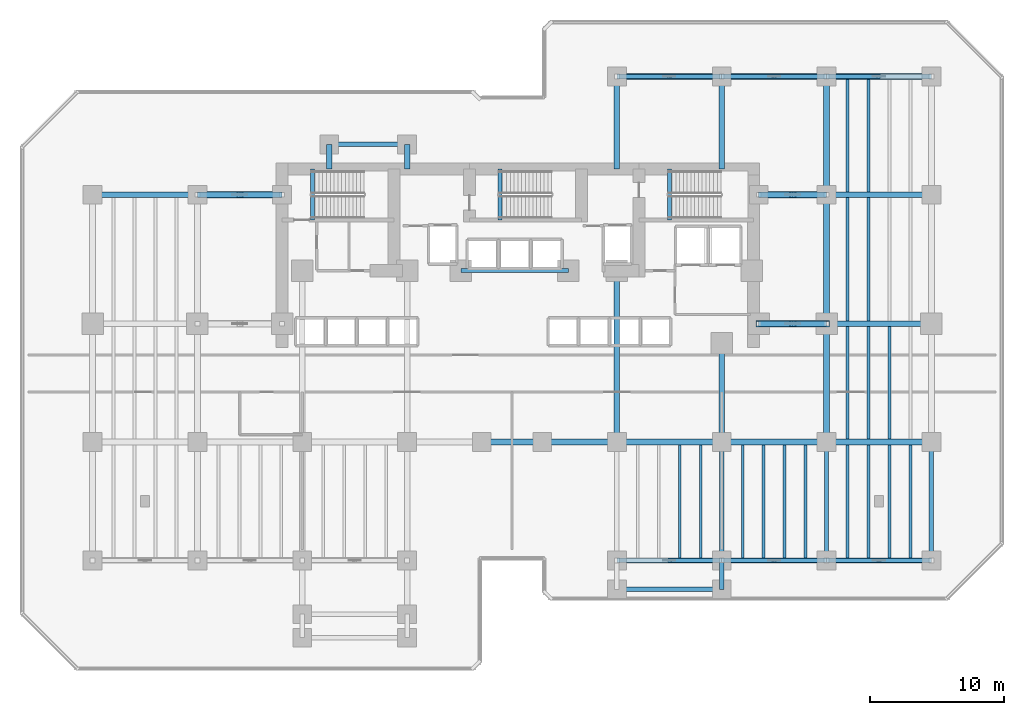
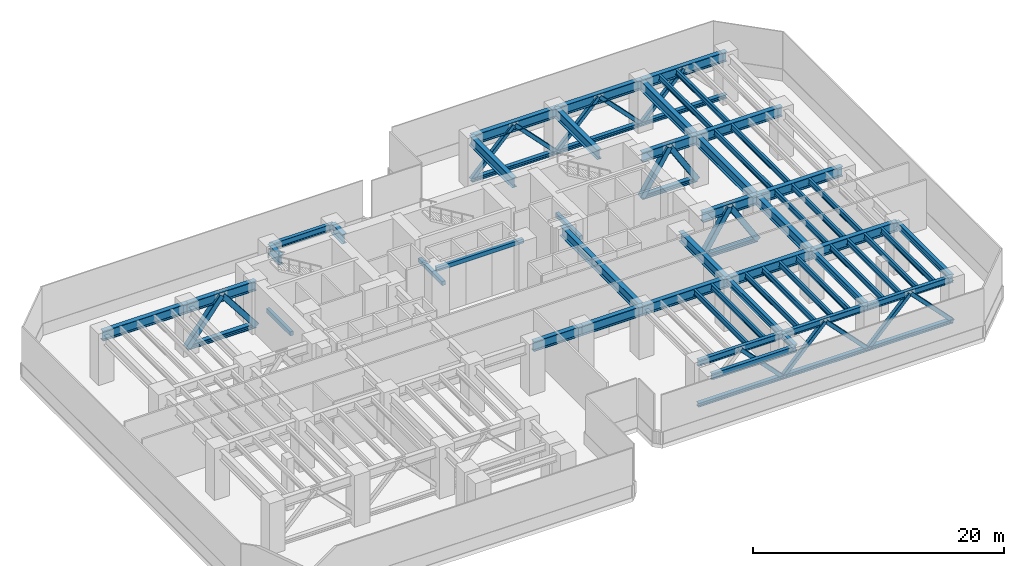
# One storey, part 2 of 13: 53 beams, 25 members.
"""IFC4 building model written with IfcOpenShell, lengths in metres."""

import ifcopenshell
import ifcopenshell.guid

model = None  # the IFC model being written
_history = None  # IfcOwnerHistory: only IFC2X3 demands one
_inside = {}  # id of a spatial element -> (the spatial element, [elements in it])
_under = {}  # id of a project, library or spatial element -> (it, [spatial elements below it])
_declared = {}  # id of a project -> (the project, [libraries it declares])
_typed = {}  # id of a type object -> (the type object, [elements of that type])
_made_of = {}  # id of a material, layer set ... -> (it, [elements and type objects made of it])


def new_model(schema):
    """Start an empty IFC model of exactly this schema.

    Asked for "IFC4X3", IfcOpenShell would pick the latest addendum, in which some entities
    have other attributes; the version numbers below select the first issue.
    IFC2X3 requires an IfcOwnerHistory on every rooted entity: one is made here for all.
    """
    global model, _history
    if schema == "IFC4X3":
        model = ifcopenshell.file(schema_version=(4, 3, 0, 0))
    else:
        model = ifcopenshell.file(schema=schema)
    _inside.clear()
    _under.clear()
    _declared.clear()
    _typed.clear()
    _made_of.clear()
    _history = None
    if model.schema == "IFC2X3":
        org = make("IfcOrganization", Name="unknown")
        user = make(
            "IfcPersonAndOrganization",
            ThePerson=make("IfcPerson", FamilyName="unknown"),
            TheOrganization=org,
        )
        app = make(
            "IfcApplication",
            ApplicationDeveloper=org,
            Version="unknown",
            ApplicationFullName="unknown",
            ApplicationIdentifier="unknown",
        )
        _history = make(
            "IfcOwnerHistory",
            OwningUser=user,
            OwningApplication=app,
            ChangeAction="ADDED",
            CreationDate=0,
        )
    return model


def make(cls, **values):
    """One entity of the class cls with the attributes given. An attribute that is None is left unset."""
    return model.create_entity(
        cls, **{name: value for name, value in values.items() if value is not None}
    )


def rooted(cls, **values):
    """An entity with a GlobalId (a new one), such as an element, a storey or a relation."""
    return make(cls, GlobalId=ifcopenshell.guid.new(), OwnerHistory=_history, **values)


def si_unit(unit_type, name, prefix=None):
    """IfcSIUnit, for example si_unit("LENGTHUNIT", "METRE", prefix="MILLI")."""
    return make("IfcSIUnit", UnitType=unit_type, Prefix=prefix, Name=name)


def assignment(units):
    """IfcUnitAssignment: the units of a project."""
    return None if units is None else make("IfcUnitAssignment", Units=units)


def point(xyz):
    """IfcCartesianPoint."""
    return None if xyz is None else make("IfcCartesianPoint", Coordinates=xyz)


def direction(xyz):
    """IfcDirection."""
    return None if xyz is None else make("IfcDirection", DirectionRatios=xyz)


def frame(location, z_axis=None, x_axis=None):
    """IfcAxis2Placement3D, a coordinate frame: its origin and axes. An axis left out is left unset."""
    return make(
        "IfcAxis2Placement3D",
        Location=point(location),
        Axis=direction(z_axis),
        RefDirection=direction(x_axis),
    )


def frame_2d(location, x_axis=None):
    """IfcAxis2Placement2D, a coordinate frame in the plane: its origin and x axis."""
    return make(
        "IfcAxis2Placement2D", Location=point(location), RefDirection=direction(x_axis)
    )


def origin():
    """The frame at (0, 0, 0) with its axes left unset."""
    return frame((0.0, 0.0, 0.0))


def origin_2d():
    """The frame at (0, 0) in the plane with its x axis left unset."""
    return frame_2d((0.0, 0.0))


def place(relative_to, where):
    """IfcLocalPlacement: puts the frame where relative to a parent placement (None: the world)."""
    return make(
        "IfcLocalPlacement", PlacementRelTo=relative_to, RelativePlacement=where
    )


def context(
    kind, dimensions, precision=None, world=None, true_north=None, identifier=None
):
    """IfcGeometricRepresentationContext, for example the 3D "Model" context."""
    return make(
        "IfcGeometricRepresentationContext",
        ContextIdentifier=identifier,
        ContextType=kind,
        CoordinateSpaceDimension=dimensions,
        Precision=precision,
        WorldCoordinateSystem=world,
        TrueNorth=true_north,
    )


def subcontext(parent, identifier, kind, view, scale=None):
    """IfcGeometricRepresentationSubContext, for example "Body" below "Model"."""
    return make(
        "IfcGeometricRepresentationSubContext",
        ContextIdentifier=identifier,
        ContextType=kind,
        ParentContext=parent,
        TargetScale=scale,
        TargetView=view,
    )


def project(units=None, contexts=None):
    """IfcProject with its units and contexts."""
    return rooted(
        "IfcProject",
        Name="project",
        RepresentationContexts=contexts,
        UnitsInContext=assignment(units),
    )


def spatial(cls, under=None, at=None, **own):
    """A site, building, storey or space (cls), placed at a placement, below another one or the project."""
    s = rooted(cls, ObjectPlacement=at, **own)
    if under is not None:
        _under.setdefault(under.id(), (under, []))[1].append(s)
    return s


def profile(cls, at=None, kind="AREA", **sizes):
    """A parametric profile (cls). Its sizes go by their IFC names, for example OverallWidth=200.0."""
    return make(cls, ProfileType=kind, Position=at, **sizes)


def rectangle(**sizes):
    """IfcRectangleProfileDef."""
    return profile("IfcRectangleProfileDef", **sizes)


def hollow_rectangle(**sizes):
    """IfcRectangleHollowProfileDef."""
    return profile("IfcRectangleHollowProfileDef", **sizes)


def i_section(**sizes):
    """IfcIShapeProfileDef."""
    return profile("IfcIShapeProfileDef", **sizes)


def extrude(swept, where, along, depth):
    """IfcExtrudedAreaSolid: the profile swept, set in the frame where, extruded along a direction by depth."""
    return make(
        "IfcExtrudedAreaSolid",
        SweptArea=swept,
        Position=where,
        ExtrudedDirection=direction(along),
        Depth=depth,
    )


def shape(context_of_items, identifier, shape_type, items):
    """IfcShapeRepresentation: the items that make up one representation, for example the "Body"."""
    return make(
        "IfcShapeRepresentation",
        ContextOfItems=context_of_items,
        RepresentationIdentifier=identifier,
        RepresentationType=shape_type,
        Items=items,
    )


def material(Name=None, Category=None):
    """IfcMaterial."""
    return make("IfcMaterial", Name=Name, Category=Category)


def material_profile(
    of_material, cross_section, Name=None, Category=None, Priority=None
):
    """IfcMaterialProfile: a cross section and its material."""
    return make(
        "IfcMaterialProfile",
        Name=Name,
        Material=of_material,
        Profile=cross_section,
        Priority=Priority,
        Category=Category,
    )


def profile_set(profiles, Name=None, composite=None):
    """IfcMaterialProfileSet."""
    return make(
        "IfcMaterialProfileSet",
        Name=Name,
        MaterialProfiles=profiles,
        CompositeProfile=composite,
    )


def made_of(thing, what):
    """Note that an element or type object is made of a material, layer set ...; save() writes the relation."""
    if what is not None:
        _made_of.setdefault(what.id(), (what, []))[1].append(thing)
    return thing


def type_object(cls, material=None, **own):
    """A type object (cls), such as IfcWallType, which elements share."""
    return made_of(rooted(cls, **own), material)


def element(
    cls,
    number,
    at=None,
    inside=None,
    cuts=None,
    type_object=None,
    material=None,
    context=None,
    identifier="Body",
    shape_type=None,
    held_by="IfcProductDefinitionShape",
    body=None,
    shapes=None,
    **own,
):
    """One element of the class cls, such as IfcWall. Its Tag is "e" and its number.

    at: its placement. inside: the storey or other place that contains it. cuts: it is an
    opening in that element (IfcRelVoidsElement). A single representation is given by context,
    identifier, shape_type and body (its items); several are given by shapes. held_by: the class
    of the entity that holds the representations. save() writes the other relations.
    """
    e = rooted(cls, Tag="e%d" % number, ObjectPlacement=at, **own)
    if body is not None:
        shapes = [shape(context, identifier, shape_type, body)]
    if shapes is not None:
        e.Representation = make(held_by, Representations=shapes)
    if inside is not None:
        _inside.setdefault(inside.id(), (inside, []))[1].append(e)
    if cuts is not None:
        rooted(
            "IfcRelVoidsElement", RelatingBuildingElement=cuts, RelatedOpeningElement=e
        )
    if type_object is not None:
        _typed.setdefault(type_object.id(), (type_object, []))[1].append(e)
    return made_of(e, material)


def aggregate(whole, parts):
    """IfcRelAggregates: a whole, such as a stair, and the parts it consists of."""
    return rooted("IfcRelAggregates", RelatingObject=whole, RelatedObjects=parts)


def save(model, path):
    """Write the relations noted so far, then the file.

    IfcRelAggregates (storeys below a building ...), IfcRelContainedInSpatialStructure (elements
    in a storey), IfcRelDefinesByType, IfcRelAssociatesMaterial and IfcRelDeclares: one each for
    every whole, place, type object, material and project.
    """
    for whole, parts in _under.values():
        aggregate(whole, parts)
    for where, things in _inside.values():
        rooted(
            "IfcRelContainedInSpatialStructure",
            RelatedElements=things,
            RelatingStructure=where,
        )
    for kind, things in _typed.values():
        rooted("IfcRelDefinesByType", RelatedObjects=things, RelatingType=kind)
    for what, things in _made_of.values():
        rooted("IfcRelAssociatesMaterial", RelatedObjects=things, RelatingMaterial=what)
    for by, libraries in _declared.values():
        rooted("IfcRelDeclares", RelatingContext=by, RelatedDefinitions=libraries)
    model.write(path)


model = new_model("IFC4")

# Units and contexts
model_context = context("Model", 3, precision=1e-05, world=origin(), true_north=direction((0.0, 1.0)))
body_context = subcontext(model_context, "Body", "Model", "MODEL_VIEW")
ifc_project = project(units=[si_unit("LENGTHUNIT", "METRE"), si_unit("AREAUNIT", "SQUARE_METRE"), si_unit("VOLUMEUNIT", "CUBIC_METRE"), si_unit("PLANEANGLEUNIT", "RADIAN"), si_unit("MASSUNIT", "GRAM", prefix="KILO")], contexts=[model_context])

# Site, building, storey
site_placement = place(None, origin())
site = spatial("IfcSite", under=ifc_project, at=site_placement, CompositionType="ELEMENT")
building_placement = place(site_placement, origin())
building = spatial("IfcBuilding", under=site, at=building_placement, Name="Kestravale Grand Hotel", CompositionType="ELEMENT")
storey_placement = place(building_placement, frame((0.0, 0.0, 75.39990234375)))
storey = spatial("IfcBuildingStorey", under=building, at=storey_placement, Name="L18", CompositionType="ELEMENT", Elevation=75.39990234375)

# Beams
ifc_material_1 = material(Name="Steel ASTM A992 Grade 50", Category="steel")
ifc_material_profile_1 = material_profile(ifc_material_1, i_section(OverallWidth=0.2099609375, OverallDepth=0.535888671875, WebThickness=0.010986328125, FlangeThickness=0.017333984375, FilletRadius=0.017578125, at=origin_2d()))
ifc_profile_set_1 = profile_set([ifc_material_profile_1], Name="Steel ASTM A992 Grade 50")
beam_type_1 = type_object("IfcBeamType", Name="B-FLR-JST21", PredefinedType="JOIST", material=ifc_profile_set_1)
for number, where, z_axis, x_axis, name in (
    (1, (51.47998046875, 11.362548828125, 4.442138671875), (0.0, 1.0, 0.0), (-1.0, 0.0, 0.0), "L18 floor joist 8-9/C-D #3"),
    (2, (53.0400390625, 11.362548828125, 4.442138671875), (0.0, 1.0, 0.0), (-1.0, 0.0, 0.0), "L18 floor joist 8-9/C-D #4"),
    (3, (56.159912109375, 11.362548828125, 4.442138671875), (0.0, 1.0, 0.0), (-1.0, 0.0, 0.0), "L18 floor joist 9-10/C-D #1"),
    (4, (57.719970703125, 11.362548828125, 4.442138671875), (0.0, 1.0, 0.0), (-1.0, 0.0, 0.0), "L18 floor joist 9-10/C-D #2"),
    (5, (59.280029296875, 11.362548828125, 4.442138671875), (0.0, 1.0, 0.0), (-1.0, 0.0, 0.0), "L18 floor joist 9-10/C-D #3"),
    (6, (60.840087890625, 11.362548828125, 4.442138671875), (0.0, 1.0, 0.0), (-1.0, 0.0, 0.0), "L18 floor joist 9-10/C-D #4"),
    (7, (63.9599609375, 11.362548828125, 4.442138671875), (0.0, 1.0, 0.0), (-1.0, 0.0, 0.0), "L18 floor joist 10-11/C-D #1"),
    (8, (65.52001953125, 11.362548828125, 4.442138671875), (0.0, 1.0, 0.0), (-1.0, 0.0, 0.0), "L18 floor joist 10-11/C-D #2"),
    (9, (67.080078125, 11.362548828125, 4.442138671875), (0.0, 1.0, 0.0), (-1.0, 0.0, 0.0), "L18 floor joist 10-11/C-D #3"),
    (10, (68.639892578125, 11.362548828125, 4.442138671875), (0.0, 1.0, 0.0), (-1.0, 0.0, 0.0), "L18 floor joist 10-11/C-D #4"),
):
    element("IfcBeam", number, at=place(storey_placement, frame(where, z_axis=z_axis, x_axis=x_axis)), inside=storey, type_object=beam_type_1, Name=name, PredefinedType="JOIST", context=body_context, shape_type="SweptSolid", body=[
        extrude(i_section(OverallWidth=0.2099609375, OverallDepth=0.535888671875, WebThickness=0.010986328125, FlangeThickness=0.017333984375, FilletRadius=0.017578125, at=origin_2d()), origin(), (0.0, 0.0, 1.0), 8.425537109375),
    ])
for number, where, z_axis, x_axis, name in (
    (11, (63.9599609375, 20.2119140625, 4.442138671875), (0.0, 1.0, 0.0), (-1.0, 0.0, 0.0), "L18 floor joist 10-11/D-E #1"),
    (12, (65.52001953125, 20.2119140625, 4.442138671875), (0.0, 1.0, 0.0), (-1.0, 0.0, 0.0), "L18 floor joist 10-11/D-E #2"),
    (13, (67.080078125, 20.2119140625, 4.442138671875), (0.0, 1.0, 0.0), (-1.0, 0.0, 0.0), "L18 floor joist 10-11/D-E #3"),
):
    element("IfcBeam", number, at=place(storey_placement, frame(where, z_axis=z_axis, x_axis=x_axis)), inside=storey, type_object=beam_type_1, Name=name, PredefinedType="JOIST", context=body_context, shape_type="SweptSolid", body=[
        extrude(i_section(OverallWidth=0.2099609375, OverallDepth=0.535888671875, WebThickness=0.010986328125, FlangeThickness=0.017333984375, FilletRadius=0.017578125, at=origin_2d()), origin(), (0.0, 0.0, 1.0), 8.3759765625),
    ])
for number, where, z_axis, x_axis, name in (
    (14, (63.9599609375, 29.011962890625, 4.442138671875), (0.0, 1.0, 0.0), (-1.0, 0.0, 0.0), "L18 floor joist 10-11/E-F #1"),
    (15, (65.52001953125, 29.011962890625, 4.442138671875), (0.0, 1.0, 0.0), (-1.0, 0.0, 0.0), "L18 floor joist 10-11/E-F #2"),
):
    element("IfcBeam", number, at=place(storey_placement, frame(where, z_axis=z_axis, x_axis=x_axis)), inside=storey, type_object=beam_type_1, Name=name, PredefinedType="JOIST", context=body_context, shape_type="SweptSolid", body=[
        extrude(i_section(OverallWidth=0.2099609375, OverallDepth=0.535888671875, WebThickness=0.010986328125, FlangeThickness=0.017333984375, FilletRadius=0.017578125, at=origin_2d()), origin(), (0.0, 0.0, 1.0), 9.176025390625),
    ])
for number, where, z_axis, x_axis, name in (
    (16, (63.9599609375, 38.612060546875, 4.442138671875), (0.0, 1.0, 0.0), (-1.0, 0.0, 0.0), "L18 floor joist 10-11/F-G #1"),
    (17, (65.52001953125, 38.612060546875, 4.442138671875), (0.0, 1.0, 0.0), (-1.0, 0.0, 0.0), "L18 floor joist 10-11/F-G #2"),
):
    element("IfcBeam", number, at=place(storey_placement, frame(where, z_axis=z_axis, x_axis=x_axis)), inside=storey, type_object=beam_type_1, Name=name, PredefinedType="JOIST", context=body_context, shape_type="SweptSolid", body=[
        extrude(i_section(OverallWidth=0.2099609375, OverallDepth=0.535888671875, WebThickness=0.010986328125, FlangeThickness=0.017333984375, FilletRadius=0.017578125, at=origin_2d()), origin(), (0.0, 0.0, 1.0), 8.3759765625),
    ])
ifc_material_2 = material(Name="Concrete f'c 45 MPa", Category="concrete")
ifc_material_profile_2 = material_profile(ifc_material_2, rectangle(XDim=0.300048828125, YDim=0.39990234375, at=origin_2d()))
ifc_profile_set_2 = profile_set([ifc_material_profile_2], Name="Concrete f'c 45 MPa")
beam_type_2 = type_object("IfcBeamType", Name="B-FLR-LNT400", PredefinedType="LINTEL", material=ifc_profile_set_2)
beam_1_placement = place(storey_placement, frame((35.199951171875, 32.75, 4.510009765625), z_axis=(1.0, 0.0, 0.0), x_axis=(0.0, 1.0, 0.0)))
element("IfcBeam", 18, at=beam_1_placement, inside=storey, type_object=beam_type_2, Name="L18 core portal header lintel", PredefinedType="LINTEL", context=body_context, shape_type="SweptSolid", body=[
    extrude(rectangle(XDim=0.300048828125, YDim=0.39990234375, at=origin_2d()), origin(), (0.0, 0.0, 1.0), 8.0),
])
for number, where, z_axis, x_axis, name in (
    (19, (24.159912109375, 36.52001953125, -0.199951171875), (0.0, 1.0, 0.0), (-1.0, 0.0, 0.0), "L18 ST1 flight bottom header beam"),
    (20, (38.110107421875, 36.52001953125, -0.199951171875), (0.0, 1.0, 0.0), (-1.0, 0.0, 0.0), "L18 ST2 flight bottom header beam"),
    (21, (50.7099609375, 36.52001953125, -0.199951171875), (0.0, 1.0, 0.0), (-1.0, 0.0, 0.0), "L18 ST3 flight bottom header beam"),
):
    element("IfcBeam", number, at=place(storey_placement, frame(where, z_axis=z_axis, x_axis=x_axis)), inside=storey, type_object=beam_type_2, Name=name, PredefinedType="LINTEL", context=body_context, shape_type="SweptSolid", body=[
        extrude(rectangle(XDim=0.300048828125, YDim=0.39990234375, at=origin_2d()), origin(), (0.0, 0.0, 1.0), 3.800048828125),
    ])
ifc_material_3 = material(Name="Steel ASTM A992 Grade 50", Category="steel")
ifc_material_profile_3 = material_profile(ifc_material_3, i_section(OverallWidth=0.324951171875, OverallDepth=0.612060546875, WebThickness=0.0126953125, FlangeThickness=0.01904296875, FilletRadius=0.018798828125, at=origin_2d()))
ifc_profile_set_3 = profile_set([ifc_material_profile_3], Name="Steel ASTM A992 Grade 50")
beam_type_3 = type_object("IfcBeamType", Name="B-FLR-W24A", PredefinedType="SPANDREL", material=ifc_profile_set_3)
beam_2_placement = place(storey_placement, frame((46.800048828125, 11.199951171875, 4.404052734375), z_axis=(1.0, 0.0, 0.0), x_axis=(0.0, 1.0, 0.0)))
element("IfcBeam", 22, at=beam_2_placement, inside=storey, type_object=beam_type_3, Name="L18 spandrel C:8-9", PredefinedType="SPANDREL", context=body_context, shape_type="SweptSolid", body=[
    extrude(i_section(OverallWidth=0.324951171875, OverallDepth=0.612060546875, WebThickness=0.0126953125, FlangeThickness=0.01904296875, FilletRadius=0.018798828125, at=origin_2d()), origin(), (0.0, 0.0, 1.0), 7.800048828125),
])
beam_3_placement = place(storey_placement, frame((54.60009765625, 11.199951171875, 4.404052734375), z_axis=(1.0, 0.0, 0.0), x_axis=(0.0, 1.0, 0.0)))
element("IfcBeam", 23, at=beam_3_placement, inside=storey, type_object=beam_type_3, Name="L18 spandrel C:9-10", PredefinedType="SPANDREL", context=body_context, shape_type="SweptSolid", body=[
    extrude(i_section(OverallWidth=0.324951171875, OverallDepth=0.612060546875, WebThickness=0.0126953125, FlangeThickness=0.01904296875, FilletRadius=0.018798828125, at=origin_2d()), origin(), (0.0, 0.0, 1.0), 7.7998046875),
])
for number, where, z_axis, x_axis, name in (
    (24, (62.39990234375, 11.199951171875, 4.404052734375), (1.0, 0.0, 0.0), (0.0, 1.0, 0.0), "L18 spandrel C:10-11"),
    (25, (46.800048828125, 9.050048828125, 4.404052734375), (1.0, 0.0, 0.0), (0.0, 1.0, 0.0), "L18 perimeter tie spandrel B1E:8-9"),
):
    element("IfcBeam", number, at=place(storey_placement, frame(where, z_axis=z_axis, x_axis=x_axis)), inside=storey, type_object=beam_type_3, Name=name, PredefinedType="SPANDREL", context=body_context, shape_type="SweptSolid", body=[
        extrude(i_section(OverallWidth=0.324951171875, OverallDepth=0.612060546875, WebThickness=0.0126953125, FlangeThickness=0.01904296875, FilletRadius=0.018798828125, at=origin_2d()), origin(), (0.0, 0.0, 1.0), 7.800048828125),
    ])
beam_4_placement = place(storey_placement, frame((25.39990234375, 42.14990234375, 4.404052734375), z_axis=(1.0, 0.0, 0.0), x_axis=(0.0, 1.0, 0.0)))
element("IfcBeam", 26, at=beam_4_placement, inside=storey, type_object=beam_type_3, Name="L18 perimeter tie spandrel FN:4-5", PredefinedType="SPANDREL", context=body_context, shape_type="SweptSolid", body=[
    extrude(i_section(OverallWidth=0.324951171875, OverallDepth=0.612060546875, WebThickness=0.0126953125, FlangeThickness=0.01904296875, FilletRadius=0.018798828125, at=origin_2d()), origin(), (0.0, 0.0, 1.0), 5.800048828125),
])
beam_5_placement = place(storey_placement, frame((54.60009765625, 9.050048828125, 4.404052734375), z_axis=(0.0, 1.0, 0.0), x_axis=(-1.0, 0.0, 0.0)))
element("IfcBeam", 27, at=beam_5_placement, inside=storey, type_object=beam_type_3, Name="L18 spandrel 9:B1E-C", PredefinedType="SPANDREL", context=body_context, shape_type="SweptSolid", body=[
    extrude(i_section(OverallWidth=0.324951171875, OverallDepth=0.612060546875, WebThickness=0.0126953125, FlangeThickness=0.01904296875, FilletRadius=0.018798828125, at=origin_2d()), origin(), (0.0, 0.0, 1.0), 2.14990234375),
])
for number, where, z_axis, x_axis, name in (
    (28, (54.60009765625, 11.199951171875, 4.404052734375), (0.0, 1.0, 0.0), (-1.0, 0.0, 0.0), "L18 spandrel 9:C-D"),
    (29, (62.39990234375, 11.199951171875, 4.404052734375), (0.0, 1.0, 0.0), (-1.0, 0.0, 0.0), "L18 spandrel 10:C-D"),
    (30, (70.199951171875, 11.199951171875, 4.404052734375), (0.0, 1.0, 0.0), (-1.0, 0.0, 0.0), "L18 spandrel 11:C-D"),
):
    element("IfcBeam", number, at=place(storey_placement, frame(where, z_axis=z_axis, x_axis=x_axis)), inside=storey, type_object=beam_type_3, Name=name, PredefinedType="SPANDREL", context=body_context, shape_type="SweptSolid", body=[
        extrude(i_section(OverallWidth=0.324951171875, OverallDepth=0.612060546875, WebThickness=0.0126953125, FlangeThickness=0.01904296875, FilletRadius=0.018798828125, at=origin_2d()), origin(), (0.0, 0.0, 1.0), 8.800048828125),
    ])
ifc_material_4 = material(Name="Steel ASTM A992 Grade 50", Category="steel")
ifc_material_profile_4 = material_profile(ifc_material_4, i_section(OverallWidth=0.424072265625, OverallDepth=0.947021484375, WebThickness=0.02392578125, FlangeThickness=0.042724609375, FilletRadius=0.0283203125, at=origin_2d()))
ifc_profile_set_4 = profile_set([ifc_material_profile_4], Name="Steel ASTM A992 Grade 50")
beam_type_4 = type_object("IfcBeamType", Name="B-GRD-W36", PredefinedType="BEAM", material=ifc_profile_set_4)
beam_6_placement = place(storey_placement, frame((36.75, 20.0, 4.236572265625), z_axis=(1.0, 0.0, 0.0), x_axis=(0.0, 1.0, 0.0)))
element("IfcBeam", 31, at=beam_6_placement, inside=storey, type_object=beam_type_4, Name="L18 girder D:6-7", PredefinedType="BEAM", context=body_context, shape_type="SweptSolid", body=[
    extrude(i_section(OverallWidth=0.424072265625, OverallDepth=0.947021484375, WebThickness=0.02392578125, FlangeThickness=0.042724609375, FilletRadius=0.0283203125, at=origin_2d()), origin(), (0.0, 0.0, 1.0), 4.5),
])
beam_7_placement = place(storey_placement, frame((41.25, 20.0, 4.236572265625), z_axis=(1.0, 0.0, 0.0), x_axis=(0.0, 1.0, 0.0)))
element("IfcBeam", 32, at=beam_7_placement, inside=storey, type_object=beam_type_4, Name="L18 girder D:7-8", PredefinedType="BEAM", context=body_context, shape_type="SweptSolid", body=[
    extrude(i_section(OverallWidth=0.424072265625, OverallDepth=0.947021484375, WebThickness=0.02392578125, FlangeThickness=0.042724609375, FilletRadius=0.0283203125, at=origin_2d()), origin(), (0.0, 0.0, 1.0), 5.550048828125),
])
beam_8_placement = place(storey_placement, frame((46.800048828125, 20.0, 4.236572265625), z_axis=(1.0, 0.0, 0.0), x_axis=(0.0, 1.0, 0.0)))
element("IfcBeam", 33, at=beam_8_placement, inside=storey, type_object=beam_type_4, Name="L18 girder D:8-9", PredefinedType="BEAM", context=body_context, shape_type="SweptSolid", body=[
    extrude(i_section(OverallWidth=0.424072265625, OverallDepth=0.947021484375, WebThickness=0.02392578125, FlangeThickness=0.042724609375, FilletRadius=0.0283203125, at=origin_2d()), origin(), (0.0, 0.0, 1.0), 7.800048828125),
])
beam_9_placement = place(storey_placement, frame((54.60009765625, 20.0, 4.236572265625), z_axis=(1.0, 0.0, 0.0), x_axis=(0.0, 1.0, 0.0)))
element("IfcBeam", 34, at=beam_9_placement, inside=storey, type_object=beam_type_4, Name="L18 girder D:9-10", PredefinedType="BEAM", context=body_context, shape_type="SweptSolid", body=[
    extrude(i_section(OverallWidth=0.424072265625, OverallDepth=0.947021484375, WebThickness=0.02392578125, FlangeThickness=0.042724609375, FilletRadius=0.0283203125, at=origin_2d()), origin(), (0.0, 0.0, 1.0), 7.7998046875),
])
beam_10_placement = place(storey_placement, frame((62.39990234375, 20.0, 4.236572265625), z_axis=(1.0, 0.0, 0.0), x_axis=(0.0, 1.0, 0.0)))
element("IfcBeam", 35, at=beam_10_placement, inside=storey, type_object=beam_type_4, Name="L18 girder D:10-11", PredefinedType="BEAM", context=body_context, shape_type="SweptSolid", body=[
    extrude(i_section(OverallWidth=0.424072265625, OverallDepth=0.947021484375, WebThickness=0.02392578125, FlangeThickness=0.042724609375, FilletRadius=0.0283203125, at=origin_2d()), origin(), (0.0, 0.0, 1.0), 7.800048828125),
])
beam_11_placement = place(storey_placement, frame((57.35009765625, 28.800048828125, 4.236572265625), z_axis=(1.0, 0.0, 0.0), x_axis=(0.0, 1.0, 0.0)))
element("IfcBeam", 36, at=beam_11_placement, inside=storey, type_object=beam_type_4, Name="L18 girder E:CE-10", PredefinedType="BEAM", context=body_context, shape_type="SweptSolid", body=[
    extrude(i_section(OverallWidth=0.424072265625, OverallDepth=0.947021484375, WebThickness=0.02392578125, FlangeThickness=0.042724609375, FilletRadius=0.0283203125, at=origin_2d()), origin(), (0.0, 0.0, 1.0), 5.0498046875),
])
for number, where, z_axis, x_axis, name in (
    (37, (62.39990234375, 28.800048828125, 4.236572265625), (1.0, 0.0, 0.0), (0.0, 1.0, 0.0), "L18 girder E:10-11"),
    (38, (7.800048828125, 38.39990234375, 4.236572265625), (1.0, 0.0, 0.0), (0.0, 1.0, 0.0), "L18 girder F:2-3"),
):
    element("IfcBeam", number, at=place(storey_placement, frame(where, z_axis=z_axis, x_axis=x_axis)), inside=storey, type_object=beam_type_4, Name=name, PredefinedType="BEAM", context=body_context, shape_type="SweptSolid", body=[
        extrude(i_section(OverallWidth=0.424072265625, OverallDepth=0.947021484375, WebThickness=0.02392578125, FlangeThickness=0.042724609375, FilletRadius=0.0283203125, at=origin_2d()), origin(), (0.0, 0.0, 1.0), 7.800048828125),
    ])
beam_12_placement = place(storey_placement, frame((15.60009765625, 38.39990234375, 4.236572265625), z_axis=(1.0, 0.0, 0.0), x_axis=(0.0, 1.0, 0.0)))
element("IfcBeam", 39, at=beam_12_placement, inside=storey, type_object=beam_type_4, Name="L18 girder F:3-CW", PredefinedType="BEAM", context=body_context, shape_type="SweptSolid", body=[
    extrude(i_section(OverallWidth=0.424072265625, OverallDepth=0.947021484375, WebThickness=0.02392578125, FlangeThickness=0.042724609375, FilletRadius=0.0283203125, at=origin_2d()), origin(), (0.0, 0.0, 1.0), 6.2998046875),
])
beam_13_placement = place(storey_placement, frame((57.35009765625, 38.39990234375, 4.236572265625), z_axis=(1.0, 0.0, 0.0), x_axis=(0.0, 1.0, 0.0)))
element("IfcBeam", 40, at=beam_13_placement, inside=storey, type_object=beam_type_4, Name="L18 girder F:CE-10", PredefinedType="BEAM", context=body_context, shape_type="SweptSolid", body=[
    extrude(i_section(OverallWidth=0.424072265625, OverallDepth=0.947021484375, WebThickness=0.02392578125, FlangeThickness=0.042724609375, FilletRadius=0.0283203125, at=origin_2d()), origin(), (0.0, 0.0, 1.0), 5.0498046875),
])
for number, where, z_axis, x_axis, name in (
    (41, (62.39990234375, 38.39990234375, 4.236572265625), (1.0, 0.0, 0.0), (0.0, 1.0, 0.0), "L18 girder F:10-11"),
    (42, (46.800048828125, 47.199951171875, 4.236572265625), (1.0, 0.0, 0.0), (0.0, 1.0, 0.0), "L18 girder G:8-9"),
):
    element("IfcBeam", number, at=place(storey_placement, frame(where, z_axis=z_axis, x_axis=x_axis)), inside=storey, type_object=beam_type_4, Name=name, PredefinedType="BEAM", context=body_context, shape_type="SweptSolid", body=[
        extrude(i_section(OverallWidth=0.424072265625, OverallDepth=0.947021484375, WebThickness=0.02392578125, FlangeThickness=0.042724609375, FilletRadius=0.0283203125, at=origin_2d()), origin(), (0.0, 0.0, 1.0), 7.800048828125),
    ])
beam_14_placement = place(storey_placement, frame((54.60009765625, 47.199951171875, 4.236572265625), z_axis=(1.0, 0.0, 0.0), x_axis=(0.0, 1.0, 0.0)))
element("IfcBeam", 43, at=beam_14_placement, inside=storey, type_object=beam_type_4, Name="L18 girder G:9-10", PredefinedType="BEAM", context=body_context, shape_type="SweptSolid", body=[
    extrude(i_section(OverallWidth=0.424072265625, OverallDepth=0.947021484375, WebThickness=0.02392578125, FlangeThickness=0.042724609375, FilletRadius=0.0283203125, at=origin_2d()), origin(), (0.0, 0.0, 1.0), 7.7998046875),
])
beam_15_placement = place(storey_placement, frame((62.39990234375, 47.199951171875, 4.236572265625), z_axis=(1.0, 0.0, 0.0), x_axis=(0.0, 1.0, 0.0)))
element("IfcBeam", 44, at=beam_15_placement, inside=storey, type_object=beam_type_4, Name="L18 girder G:10-11", PredefinedType="BEAM", context=body_context, shape_type="SweptSolid", body=[
    extrude(i_section(OverallWidth=0.424072265625, OverallDepth=0.947021484375, WebThickness=0.02392578125, FlangeThickness=0.042724609375, FilletRadius=0.0283203125, at=origin_2d()), origin(), (0.0, 0.0, 1.0), 7.800048828125),
])
beam_16_placement = place(storey_placement, frame((46.800048828125, 20.0, 4.236572265625), z_axis=(0.0, 1.0, 0.0), x_axis=(-1.0, 0.0, 0.0)))
element("IfcBeam", 45, at=beam_16_placement, inside=storey, type_object=beam_type_4, Name="L18 girder 8:D-CS", PredefinedType="BEAM", context=body_context, shape_type="SweptSolid", body=[
    extrude(i_section(OverallWidth=0.424072265625, OverallDepth=0.947021484375, WebThickness=0.02392578125, FlangeThickness=0.042724609375, FilletRadius=0.0283203125, at=origin_2d()), origin(), (0.0, 0.0, 1.0), 12.75),
])
beam_17_placement = place(storey_placement, frame((54.60009765625, 20.0, 4.236572265625), z_axis=(0.0, 1.0, 0.0), x_axis=(-1.0, 0.0, 0.0)))
element("IfcBeam", 46, at=beam_17_placement, inside=storey, type_object=beam_type_4, Name="L18 girder 9:D-CS", PredefinedType="BEAM", context=body_context, shape_type="SweptSolid", body=[
    extrude(i_section(OverallWidth=0.424072265625, OverallDepth=0.947021484375, WebThickness=0.02392578125, FlangeThickness=0.042724609375, FilletRadius=0.0283203125, at=origin_2d()), origin(), (0.0, 0.0, 1.0), 7.35009765625),
])
beam_18_placement = place(storey_placement, frame((62.39990234375, 20.0, 4.236572265625), z_axis=(0.0, 1.0, 0.0), x_axis=(-1.0, 0.0, 0.0)))
element("IfcBeam", 47, at=beam_18_placement, inside=storey, type_object=beam_type_4, Name="L18 girder 10:D-E", PredefinedType="BEAM", context=body_context, shape_type="SweptSolid", body=[
    extrude(i_section(OverallWidth=0.424072265625, OverallDepth=0.947021484375, WebThickness=0.02392578125, FlangeThickness=0.042724609375, FilletRadius=0.0283203125, at=origin_2d()), origin(), (0.0, 0.0, 1.0), 8.800048828125),
])
beam_19_placement = place(storey_placement, frame((62.39990234375, 28.800048828125, 4.236572265625), z_axis=(0.0, 1.0, 0.0), x_axis=(-1.0, 0.0, 0.0)))
element("IfcBeam", 48, at=beam_19_placement, inside=storey, type_object=beam_type_4, Name="L18 girder 10:E-F", PredefinedType="BEAM", context=body_context, shape_type="SweptSolid", body=[
    extrude(i_section(OverallWidth=0.424072265625, OverallDepth=0.947021484375, WebThickness=0.02392578125, FlangeThickness=0.042724609375, FilletRadius=0.0283203125, at=origin_2d()), origin(), (0.0, 0.0, 1.0), 9.599853515625),
])
beam_20_placement = place(storey_placement, frame((62.39990234375, 38.39990234375, 4.236572265625), z_axis=(0.0, 1.0, 0.0), x_axis=(-1.0, 0.0, 0.0)))
element("IfcBeam", 49, at=beam_20_placement, inside=storey, type_object=beam_type_4, Name="L18 girder 10:F-G", PredefinedType="BEAM", context=body_context, shape_type="SweptSolid", body=[
    extrude(i_section(OverallWidth=0.424072265625, OverallDepth=0.947021484375, WebThickness=0.02392578125, FlangeThickness=0.042724609375, FilletRadius=0.0283203125, at=origin_2d()), origin(), (0.0, 0.0, 1.0), 8.800048828125),
])
for number, where, z_axis, x_axis, name in (
    (50, (25.39990234375, 40.320068359375, 4.236572265625), (0.0, 1.0, 0.0), (-1.0, 0.0, 0.0), "L18 north wing tie girder 4:CN-FN"),
    (51, (31.199951171875, 40.320068359375, 4.236572265625), (0.0, 1.0, 0.0), (-1.0, 0.0, 0.0), "L18 north wing tie girder 5:CN-FN"),
):
    element("IfcBeam", number, at=place(storey_placement, frame(where, z_axis=z_axis, x_axis=x_axis)), inside=storey, type_object=beam_type_4, Name=name, PredefinedType="BEAM", context=body_context, shape_type="SweptSolid", body=[
        extrude(i_section(OverallWidth=0.424072265625, OverallDepth=0.947021484375, WebThickness=0.02392578125, FlangeThickness=0.042724609375, FilletRadius=0.0283203125, at=origin_2d()), origin(), (0.0, 0.0, 1.0), 1.829833984375),
    ])
for number, where, z_axis, x_axis, name in (
    (52, (46.800048828125, 40.320068359375, 4.236572265625), (0.0, 1.0, 0.0), (-1.0, 0.0, 0.0), "L18 north wing tie girder 8:CN-G"),
    (53, (54.60009765625, 40.320068359375, 4.236572265625), (0.0, 1.0, 0.0), (-1.0, 0.0, 0.0), "L18 north wing tie girder 9:CN-G"),
):
    element("IfcBeam", number, at=place(storey_placement, frame(where, z_axis=z_axis, x_axis=x_axis)), inside=storey, type_object=beam_type_4, Name=name, PredefinedType="BEAM", context=body_context, shape_type="SweptSolid", body=[
        extrude(i_section(OverallWidth=0.424072265625, OverallDepth=0.947021484375, WebThickness=0.02392578125, FlangeThickness=0.042724609375, FilletRadius=0.0283203125, at=origin_2d()), origin(), (0.0, 0.0, 1.0), 6.8798828125),
    ])

# Members
ifc_material_5 = material(Name="Steel ASTM A992 Grade 50", Category="steel")
ifc_material_profile_5 = material_profile(ifc_material_5, i_section(OverallWidth=0.373046875, OverallDepth=0.373046875, WebThickness=0.016357421875, FlangeThickness=0.026123046875, FilletRadius=0.016845703125, at=origin_2d()))
ifc_profile_set_5 = profile_set([ifc_material_profile_5], Name="Steel ASTM A992 Grade 50")
member_type_1 = type_object("IfcMemberType", Name="M-BLT-CHD132", PredefinedType="CHORD", material=ifc_profile_set_5)
member_1_placement = place(storey_placement, frame((46.800048828125, 11.199951171875, 0.35009765625), z_axis=(1.0, 0.0, 0.0), x_axis=(0.0, 1.0, 0.0)))
element("IfcMember", 54, at=member_1_placement, inside=storey, type_object=member_type_1, Name="L18 belt truss bottom chord C:8-9", PredefinedType="CHORD", context=body_context, shape_type="SweptSolid", body=[
    extrude(i_section(OverallWidth=0.373046875, OverallDepth=0.373046875, WebThickness=0.016357421875, FlangeThickness=0.026123046875, FilletRadius=0.016845703125, at=origin_2d()), origin(), (0.0, 0.0, 1.0), 7.800048828125),
])
member_2_placement = place(storey_placement, frame((54.60009765625, 11.199951171875, 0.35009765625), z_axis=(1.0, 0.0, 0.0), x_axis=(0.0, 1.0, 0.0)))
element("IfcMember", 55, at=member_2_placement, inside=storey, type_object=member_type_1, Name="L18 belt truss bottom chord C:9-10", PredefinedType="CHORD", context=body_context, shape_type="SweptSolid", body=[
    extrude(i_section(OverallWidth=0.373046875, OverallDepth=0.373046875, WebThickness=0.016357421875, FlangeThickness=0.026123046875, FilletRadius=0.016845703125, at=origin_2d()), origin(), (0.0, 0.0, 1.0), 7.7998046875),
])
for number, where, z_axis, x_axis, name in (
    (56, (62.39990234375, 11.199951171875, 0.35009765625), (1.0, 0.0, 0.0), (0.0, 1.0, 0.0), "L18 belt truss bottom chord C:10-11"),
    (57, (46.800048828125, 47.199951171875, 0.35009765625), (1.0, 0.0, 0.0), (0.0, 1.0, 0.0), "L18 belt truss bottom chord G:8-9"),
):
    element("IfcMember", number, at=place(storey_placement, frame(where, z_axis=z_axis, x_axis=x_axis)), inside=storey, type_object=member_type_1, Name=name, PredefinedType="CHORD", context=body_context, shape_type="SweptSolid", body=[
        extrude(i_section(OverallWidth=0.373046875, OverallDepth=0.373046875, WebThickness=0.016357421875, FlangeThickness=0.026123046875, FilletRadius=0.016845703125, at=origin_2d()), origin(), (0.0, 0.0, 1.0), 7.800048828125),
    ])
member_3_placement = place(storey_placement, frame((54.60009765625, 47.199951171875, 0.35009765625), z_axis=(1.0, 0.0, 0.0), x_axis=(0.0, 1.0, 0.0)))
element("IfcMember", 58, at=member_3_placement, inside=storey, type_object=member_type_1, Name="L18 belt truss bottom chord G:9-10", PredefinedType="CHORD", context=body_context, shape_type="SweptSolid", body=[
    extrude(i_section(OverallWidth=0.373046875, OverallDepth=0.373046875, WebThickness=0.016357421875, FlangeThickness=0.026123046875, FilletRadius=0.016845703125, at=origin_2d()), origin(), (0.0, 0.0, 1.0), 7.7998046875),
])
member_4_placement = place(storey_placement, frame((62.39990234375, 47.199951171875, 0.35009765625), z_axis=(1.0, 0.0, 0.0), x_axis=(0.0, 1.0, 0.0)))
element("IfcMember", 59, at=member_4_placement, inside=storey, type_object=member_type_1, Name="L18 belt truss bottom chord G:10-11", PredefinedType="CHORD", context=body_context, shape_type="SweptSolid", body=[
    extrude(i_section(OverallWidth=0.373046875, OverallDepth=0.373046875, WebThickness=0.016357421875, FlangeThickness=0.026123046875, FilletRadius=0.016845703125, at=origin_2d()), origin(), (0.0, 0.0, 1.0), 7.800048828125),
])
ifc_material_6 = material(Name="Steel ASTM A500 Grade C", Category="steel")
ifc_material_profile_6 = material_profile(ifc_material_6, hollow_rectangle(XDim=0.35009765625, YDim=0.35009765625, WallThickness=0.01611328125, InnerFilletRadius=0.01611328125, OuterFilletRadius=0.031982421875, at=origin_2d()))
ifc_profile_set_6 = profile_set([ifc_material_profile_6], Name="Steel ASTM A500 Grade C")
member_type_2 = type_object("IfcMemberType", Name="M-BLT-HSS350", PredefinedType="BRACE", material=ifc_profile_set_6)
for number, where, z_axis, x_axis, name in (
    (60, (54.60009765625, 11.199951171875, 0.35009765625), (-0.694897607575, 0.0, 0.719108694835), (0.0, -1.0, 0.0), "L18 belt truss diagonal C:8-9 R"),
    (61, (54.60009765625, 11.199951171875, 0.35009765625), (0.694897607575, 0.0, 0.719108694835), (0.0, 1.0, 0.0), "L18 belt truss diagonal C:9-10 L"),
    (62, (62.39990234375, 11.199951171875, 0.35009765625), (-0.694897607575, 0.0, 0.719108694835), (0.0, -1.0, 0.0), "L18 belt truss diagonal C:9-10 R"),
    (63, (62.39990234375, 11.199951171875, 0.35009765625), (0.694897607575, 0.0, 0.719108694835), (0.0, 1.0, 0.0), "L18 belt truss diagonal C:10-11 L"),
    (64, (70.199951171875, 11.199951171875, 0.35009765625), (-0.694897607575, 0.0, 0.719108694835), (0.0, -1.0, 0.0), "L18 belt truss diagonal C:10-11 R"),
    (65, (46.800048828125, 47.199951171875, 0.35009765625), (0.694897607575, 0.0, 0.719108694835), (0.0, 1.0, 0.0), "L18 belt truss diagonal G:8-9 L"),
    (66, (54.60009765625, 47.199951171875, 0.35009765625), (-0.694897607575, 0.0, 0.719108694835), (0.0, -1.0, 0.0), "L18 belt truss diagonal G:8-9 R"),
    (67, (54.60009765625, 47.199951171875, 0.35009765625), (0.694897607575, 0.0, 0.719108694835), (0.0, 1.0, 0.0), "L18 belt truss diagonal G:9-10 L"),
    (68, (62.39990234375, 47.199951171875, 0.35009765625), (-0.694897607575, 0.0, 0.719108694835), (0.0, -1.0, 0.0), "L18 belt truss diagonal G:9-10 R"),
    (69, (62.39990234375, 47.199951171875, 0.35009765625), (0.694897607575, 0.0, 0.719108694835), (0.0, 1.0, 0.0), "L18 belt truss diagonal G:10-11 L"),
):
    element("IfcMember", number, at=place(storey_placement, frame(where, z_axis=z_axis, x_axis=x_axis)), inside=storey, type_object=member_type_2, Name=name, PredefinedType="BRACE", context=body_context, shape_type="SweptSolid", body=[
        extrude(hollow_rectangle(XDim=0.35009765625, YDim=0.35009765625, WallThickness=0.01611328125, InnerFilletRadius=0.01611328125, OuterFilletRadius=0.031982421875, at=origin_2d()), origin(), (0.0, 0.0, 1.0), 5.576416015625),
    ])
ifc_material_7 = material(Name="Steel ASTM A992 Grade 50", Category="steel")
ifc_material_profile_7 = material_profile(ifc_material_7, i_section(OverallWidth=0.410888671875, OverallDepth=0.43408203125, WebThickness=0.035888671875, FlangeThickness=0.057373046875, FilletRadius=0.0166015625, at=origin_2d()))
ifc_profile_set_7 = profile_set([ifc_material_profile_7], Name="Steel ASTM A992 Grade 50")
member_type_3 = type_object("IfcMemberType", Name="M-OUT-CHD311", PredefinedType="CHORD", material=ifc_profile_set_7)
member_5_placement = place(storey_placement, frame((57.35009765625, 28.800048828125, 0.35009765625), z_axis=(1.0, 0.0, 0.0), x_axis=(0.0, 1.0, 0.0)))
element("IfcMember", 70, at=member_5_placement, inside=storey, type_object=member_type_3, Name="L18 east outrigger bottom chord E", PredefinedType="CHORD", context=body_context, shape_type="SweptSolid", body=[
    extrude(i_section(OverallWidth=0.410888671875, OverallDepth=0.43408203125, WebThickness=0.035888671875, FlangeThickness=0.057373046875, FilletRadius=0.0166015625, at=origin_2d()), origin(), (0.0, 0.0, 1.0), 5.0498046875),
])
member_6_placement = place(storey_placement, frame((15.60009765625, 38.39990234375, 0.35009765625), z_axis=(1.0, 0.0, 0.0), x_axis=(0.0, 1.0, 0.0)))
element("IfcMember", 71, at=member_6_placement, inside=storey, type_object=member_type_3, Name="L18 west outrigger bottom chord F", PredefinedType="CHORD", context=body_context, shape_type="SweptSolid", body=[
    extrude(i_section(OverallWidth=0.410888671875, OverallDepth=0.43408203125, WebThickness=0.035888671875, FlangeThickness=0.057373046875, FilletRadius=0.0166015625, at=origin_2d()), origin(), (0.0, 0.0, 1.0), 6.2998046875),
])
member_7_placement = place(storey_placement, frame((57.35009765625, 38.39990234375, 0.35009765625), z_axis=(1.0, 0.0, 0.0), x_axis=(0.0, 1.0, 0.0)))
element("IfcMember", 72, at=member_7_placement, inside=storey, type_object=member_type_3, Name="L18 east outrigger bottom chord F", PredefinedType="CHORD", context=body_context, shape_type="SweptSolid", body=[
    extrude(i_section(OverallWidth=0.410888671875, OverallDepth=0.43408203125, WebThickness=0.035888671875, FlangeThickness=0.057373046875, FilletRadius=0.0166015625, at=origin_2d()), origin(), (0.0, 0.0, 1.0), 5.0498046875),
])
ifc_material_8 = material(Name="Steel ASTM A500 Grade C", Category="steel")
ifc_material_profile_8 = material_profile(ifc_material_8, hollow_rectangle(XDim=0.5, YDim=0.5, WallThickness=0.02197265625, InnerFilletRadius=0.02197265625, OuterFilletRadius=0.0439453125, at=origin_2d()))
ifc_profile_set_8 = profile_set([ifc_material_profile_8], Name="Steel ASTM A500 Grade C")
member_type_4 = type_object("IfcMemberType", Name="M-OUT-HSS500", PredefinedType="BRACE", material=ifc_profile_set_8)
for number, where, z_axis, x_axis, name in (
    (73, (57.35009765625, 28.800048828125, 0.35009765625), (0.529046582217, 0.0, 0.848592784464), (0.0, 1.0, 0.0), "L18 east outrigger brace E-1"),
    (74, (62.39990234375, 28.800048828125, 0.35009765625), (-0.529046582217, 0.0, 0.848592784464), (0.0, -1.0, 0.0), "L18 east outrigger brace E-2"),
):
    element("IfcMember", number, at=place(storey_placement, frame(where, z_axis=z_axis, x_axis=x_axis)), inside=storey, type_object=member_type_4, Name=name, PredefinedType="BRACE", context=body_context, shape_type="SweptSolid", body=[
        extrude(hollow_rectangle(XDim=0.5, YDim=0.5, WallThickness=0.02197265625, InnerFilletRadius=0.02197265625, OuterFilletRadius=0.0439453125, at=origin_2d()), origin(), (0.0, 0.0, 1.0), 4.7255859375),
    ])
for number, where, z_axis, x_axis, name in (
    (75, (21.89990234375, 38.39990234375, 0.35009765625), (-0.614688381085, 0.0, 0.78877005151), (0.0, -1.0, 0.0), "L18 west outrigger brace F-1"),
    (76, (15.60009765625, 38.39990234375, 0.35009765625), (0.614688381085, 0.0, 0.78877005151), (0.0, 1.0, 0.0), "L18 west outrigger brace F-2"),
):
    element("IfcMember", number, at=place(storey_placement, frame(where, z_axis=z_axis, x_axis=x_axis)), inside=storey, type_object=member_type_4, Name=name, PredefinedType="BRACE", context=body_context, shape_type="SweptSolid", body=[
        extrude(hollow_rectangle(XDim=0.5, YDim=0.5, WallThickness=0.02197265625, InnerFilletRadius=0.02197265625, OuterFilletRadius=0.0439453125, at=origin_2d()), origin(), (0.0, 0.0, 1.0), 5.083984375),
    ])
for number, where, z_axis, x_axis, name in (
    (77, (57.35009765625, 38.39990234375, 0.35009765625), (0.529046582217, 0.0, 0.848592784464), (0.0, 1.0, 0.0), "L18 east outrigger brace F-1"),
    (78, (62.39990234375, 38.39990234375, 0.35009765625), (-0.529046582217, 0.0, 0.848592784464), (0.0, -1.0, 0.0), "L18 east outrigger brace F-2"),
):
    element("IfcMember", number, at=place(storey_placement, frame(where, z_axis=z_axis, x_axis=x_axis)), inside=storey, type_object=member_type_4, Name=name, PredefinedType="BRACE", context=body_context, shape_type="SweptSolid", body=[
        extrude(hollow_rectangle(XDim=0.5, YDim=0.5, WallThickness=0.02197265625, InnerFilletRadius=0.02197265625, OuterFilletRadius=0.0439453125, at=origin_2d()), origin(), (0.0, 0.0, 1.0), 4.7255859375),
    ])

save(model, "model.ifc")
